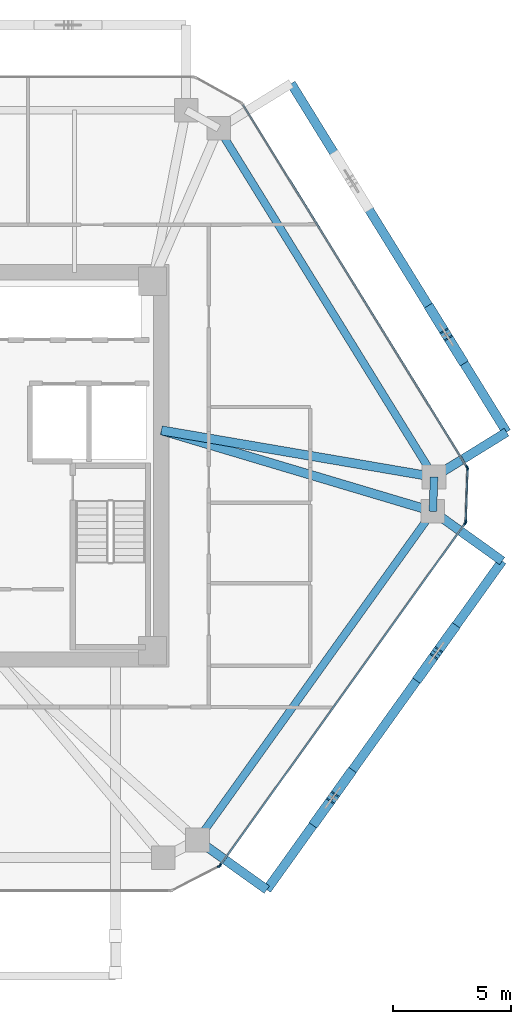
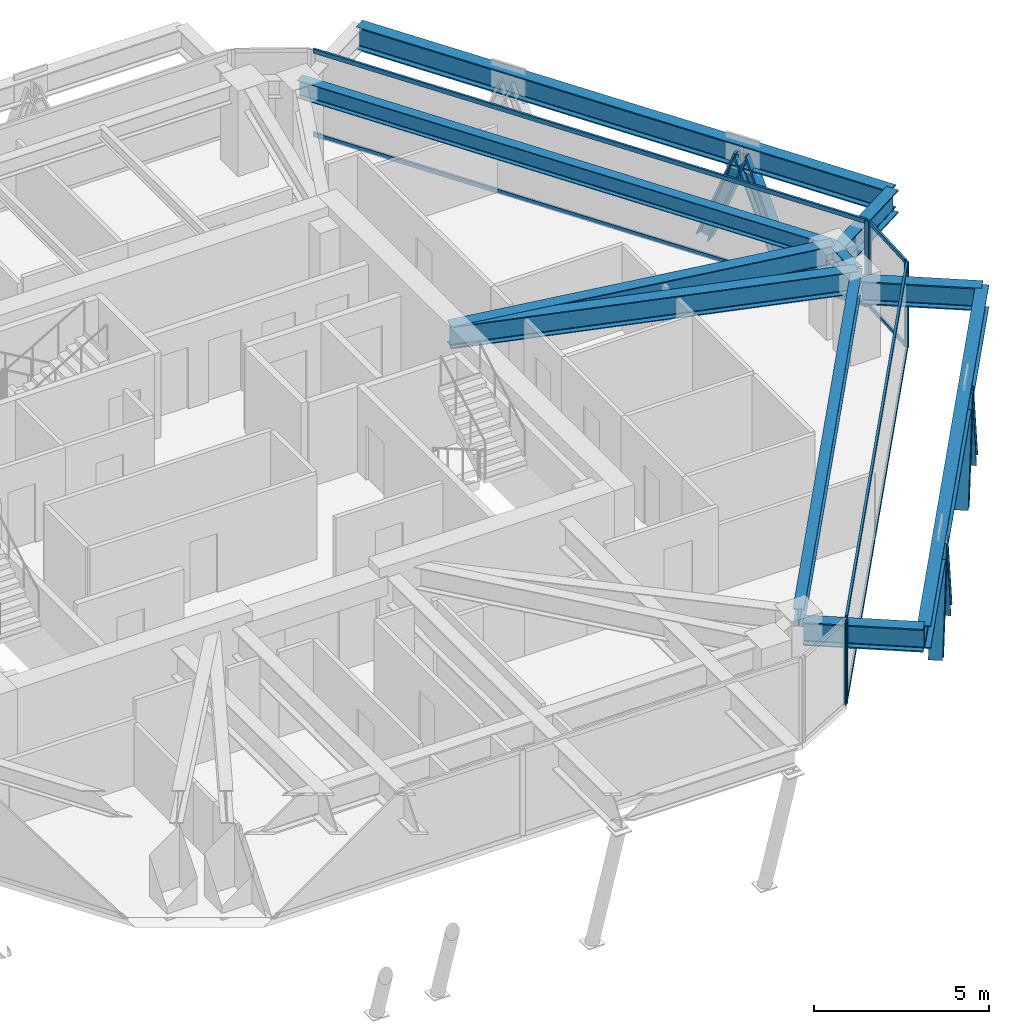
# One storey, part 5 of 14: 18 members, 10 beams, 4 elements without a shape of their own.
"""IFC4 building model written with IfcOpenShell, lengths in metres."""

from ifc_helpers import new_model, si_unit, direction, frame, origin, origin_2d, place, context, subcontext, project, spatial, rectangle, i_section, extrude, source, transform, mapped, material, layer, layer_set, material_profile, profile_set, type_object, type_shapes, element, aggregate, save


model = new_model("IFC4")

# Units and contexts
model_context = context("Model", 3, precision=1e-05, world=origin(), true_north=direction((0.0, 1.0)))
body_context = subcontext(model_context, "Body", "Model", "MODEL_VIEW")
ifc_project = project(units=[si_unit("LENGTHUNIT", "METRE"), si_unit("AREAUNIT", "SQUARE_METRE"), si_unit("VOLUMEUNIT", "CUBIC_METRE"), si_unit("PLANEANGLEUNIT", "RADIAN"), si_unit("MASSUNIT", "GRAM", prefix="KILO")], contexts=[model_context])

# Site, building, storey
site_placement = place(None, origin())
site = spatial("IfcSite", under=ifc_project, at=site_placement, CompositionType="ELEMENT")
building_placement = place(site_placement, origin())
building = spatial("IfcBuilding", under=site, at=building_placement, Name="Durnholm Broadcast Tower", CompositionType="ELEMENT")
storey_placement = place(building_placement, frame((0.0, 0.0, 159.300048828125)))
storey = spatial("IfcBuildingStorey", under=building, at=storey_placement, Name="L43", CompositionType="ELEMENT", Elevation=159.300048828125)

# Beams
ifc_material_1 = material(Name="Steel ASTM A992 Grade 50", Category="steel")
ifc_material_profile_1 = material_profile(ifc_material_1, i_section(OverallWidth=0.385009765625, OverallDepth=0.802978515625, WebThickness=0.023681640625, FlangeThickness=0.0419921875, FilletRadius=0.032958984375, at=origin_2d()), Name="W30X261")
ifc_profile_set_1 = profile_set([ifc_material_profile_1], Name="Steel ASTM A992 Grade 50")
beam_type_1 = type_object("IfcBeamType", Name="BM-EXO-TIE", PredefinedType="USERDEFINED", material=ifc_profile_set_1)
shared_shape_1 = source(origin(), body_context, "Body", "SweptSolid", [
    extrude(i_section(OverallWidth=0.385009765625, OverallDepth=0.802978515625, WebThickness=0.023681640625, FlangeThickness=0.0419921875, FilletRadius=0.032958984375, at=origin_2d()), origin(), (0.0, 0.0, 1.0), 3.4560546875),
])
for number, where, z_axis, x_axis, name in (
    (1, (11.81689453125, -15.884033203125, 2.228515625), (0.813079048773, -0.582153296346, 0.0), (0.582153296346, 0.813079048773, 0.0), "L43 exoskeleton stand-off tie bracket F2.1"),
    (2, (21.7548828125, -2.00341796875, 2.228515625), (0.813079048773, -0.582153296346, 0.0), (0.582153296346, 0.813079048773, 0.0), "L43 exoskeleton stand-off tie bracket F2.2"),
    (3, (21.8095703125, -0.3916015625, 2.228515625), (0.850662348375, 0.525712439512, 0.0), (-0.525712439512, 0.850662348375, 0.0), "L43 exoskeleton stand-off tie bracket F3.1"),
):
    element("IfcBeam", number, at=place(storey_placement, frame(where, z_axis=z_axis, x_axis=x_axis)), inside=storey, type_object=beam_type_1, Name=name, ObjectType="GIRDER", PredefinedType="USERDEFINED", context=body_context, shape_type="MappedRepresentation", body=[
        mapped(shared_shape_1, transform((0.0, 0.0, 0.0), x_axis=(1.0, 0.0, 0.0), y_axis=(0.0, 1.0, 0.0), z_axis=(0.0, 0.0, 1.0), scale=1.0)),
    ])
ifc_material_profile_2 = material_profile(ifc_material_1, i_section(OverallWidth=0.3251953125, OverallDepth=0.6162109375, WebThickness=0.013916015625, FlangeThickness=0.021484375, FilletRadius=0.02783203125, at=origin_2d()), Name="W24X117")
ifc_profile_set_2 = profile_set([ifc_material_profile_2], Name="Steel ASTM A992 Grade 50")
beam_type_2 = type_object("IfcBeamType", Name="STL-SP-W24X117", PredefinedType="SPANDREL", material=ifc_profile_set_2)
shared_shape_2 = source(origin(), body_context, "Body", "SweptSolid", [
    extrude(i_section(OverallWidth=0.3251953125, OverallDepth=0.6162109375, WebThickness=0.013916015625, FlangeThickness=0.021484375, FilletRadius=0.02783203125, at=origin_2d()), origin(), (0.0, 0.0, 1.0), 17.30322265625),
])
beam_1_placement = place(storey_placement, frame((12.5908203125, 14.252197265625, 2.65673828125), z_axis=(0.525691424148, -0.850675335588, 0.0), x_axis=(0.850675335588, 0.525691424148, 0.0)))
element("IfcBeam", 4, at=beam_1_placement, inside=storey, type_object=beam_type_2, Name="L43 perimeter spandrel girder 07", PredefinedType="SPANDREL", context=body_context, shape_type="MappedRepresentation", body=[
    mapped(shared_shape_2, transform((0.0, 0.0, 0.0), x_axis=(1.0, 0.0, 0.0), y_axis=(0.0, 1.0, 0.0), z_axis=(0.0, 0.0, 1.0), scale=1.0)),
])
shared_shape_3 = source(origin(), body_context, "Body", "SweptSolid", [
    extrude(i_section(OverallWidth=0.3251953125, OverallDepth=0.6162109375, WebThickness=0.013916015625, FlangeThickness=0.021484375, FilletRadius=0.02783203125, at=origin_2d()), origin(), (0.0, 0.0, 1.0), 1.453125),
])
beam_2_placement = place(storey_placement, frame((21.68701171875, -0.46728515625, 2.65673828125), z_axis=(-0.033767922326, -0.99942970109, 0.0), x_axis=(0.99942970109, -0.033767922326, 0.0)))
element("IfcBeam", 5, at=beam_2_placement, inside=storey, type_object=beam_type_2, Name="L43 perimeter spandrel girder 08", PredefinedType="SPANDREL", context=body_context, shape_type="MappedRepresentation", body=[
    mapped(shared_shape_3, transform((0.0, 0.0, 0.0), x_axis=(1.0, 0.0, 0.0), y_axis=(0.0, 1.0, 0.0), z_axis=(0.0, 0.0, 1.0), scale=1.0)),
])
shared_shape_4 = source(origin(), body_context, "Body", "SweptSolid", [
    extrude(i_section(OverallWidth=0.3251953125, OverallDepth=0.6162109375, WebThickness=0.013916015625, FlangeThickness=0.021484375, FilletRadius=0.02783203125, at=origin_2d()), origin(), (0.0, 0.0, 1.0), 17.071533203125),
])
type_shapes(beam_type_2, [shared_shape_2, shared_shape_3, shared_shape_4])
beam_3_placement = place(storey_placement, frame((21.637939453125, -1.919677734375, 2.65673828125), z_axis=(-0.582149612352, -0.813081686449, 0.0), x_axis=(0.813081686449, -0.582149612352, 0.0)))
element("IfcBeam", 6, at=beam_3_placement, inside=storey, type_object=beam_type_2, Name="L43 perimeter spandrel girder 09", PredefinedType="SPANDREL", context=body_context, shape_type="MappedRepresentation", body=[
    mapped(shared_shape_4, transform((0.0, 0.0, 0.0), x_axis=(1.0, 0.0, 0.0), y_axis=(0.0, 1.0, 0.0), z_axis=(0.0, 0.0, 1.0), scale=1.0)),
])
shared_shape_5 = source(origin(), body_context, "Body", "SweptSolid", [
    extrude(i_section(OverallWidth=0.385009765625, OverallDepth=0.802978515625, WebThickness=0.023681640625, FlangeThickness=0.0419921875, FilletRadius=0.032958984375, at=origin_2d()), origin(), (0.0, 0.0, 1.0), 17.071533203125),
])
beam_4_placement = place(storey_placement, frame((14.626953125, -17.89599609375, 2.228515625), z_axis=(0.582140157836, 0.813088455603, 0.0), x_axis=(-0.813088455603, 0.582140157836, 0.0)))
element("IfcBeam", 7, at=beam_4_placement, inside=storey, type_object=beam_type_1, Name="L43 exoskeleton collector spandrel F2", PredefinedType="SPANDREL", context=body_context, shape_type="MappedRepresentation", body=[
    mapped(shared_shape_5, transform((0.0, 0.0, 0.0), x_axis=(1.0, 0.0, 0.0), y_axis=(0.0, 1.0, 0.0), z_axis=(0.0, 0.0, 1.0), scale=1.0)),
])
shared_shape_6 = source(origin(), body_context, "Body", "SweptSolid", [
    extrude(i_section(OverallWidth=0.385009765625, OverallDepth=0.802978515625, WebThickness=0.023681640625, FlangeThickness=0.0419921875, FilletRadius=0.032958984375, at=origin_2d()), origin(), (0.0, 0.0, 1.0), 17.303466796875),
])
type_shapes(beam_type_1, [shared_shape_1, shared_shape_5, shared_shape_6])
beam_5_placement = place(storey_placement, frame((24.74951171875, 1.42529296875, 2.228515625), z_axis=(-0.525701634347, 0.850669025911, 0.0), x_axis=(-0.850669025911, -0.525701634347, 0.0)))
element("IfcBeam", 8, at=beam_5_placement, inside=storey, type_object=beam_type_1, Name="L43 exoskeleton collector spandrel F3", PredefinedType="SPANDREL", context=body_context, shape_type="MappedRepresentation", body=[
    mapped(shared_shape_6, transform((0.0, 0.0, 0.0), x_axis=(1.0, 0.0, 0.0), y_axis=(0.0, 1.0, 0.0), z_axis=(0.0, 0.0, 1.0), scale=1.0)),
])
ifc_material_profile_3 = material_profile(ifc_material_1, i_section(OverallWidth=0.380615234375, OverallDepth=0.773193359375, WebThickness=0.0166015625, FlangeThickness=0.027099609375, FilletRadius=0.032958984375, at=origin_2d()), Name="W30X173")
ifc_profile_set_3 = profile_set([ifc_material_profile_3], Name="Steel ASTM A992 Grade 50")
beam_type_3 = type_object("IfcBeamType", Name="STL-GR-W30X173", PredefinedType="USERDEFINED", material=ifc_profile_set_3)
shared_shape_7 = source(origin(), body_context, "Body", "SweptSolid", [
    extrude(i_section(OverallWidth=0.380615234375, OverallDepth=0.773193359375, WebThickness=0.0166015625, FlangeThickness=0.027099609375, FilletRadius=0.032958984375, at=origin_2d()), origin(), (0.0, 0.0, 1.0), 11.678955078125),
])
beam_6_placement = place(storey_placement, frame((10.175048828125, 1.5, 2.578369140625), z_axis=(0.985710446264, -0.168448556317, 0.0), x_axis=(0.168448556317, 0.985710446264, 0.0)))
element("IfcBeam", 9, at=beam_6_placement, inside=storey, type_object=beam_type_3, Name="L43 radial primary floor girder 08", ObjectType="GIRDER", PredefinedType="USERDEFINED", context=body_context, shape_type="MappedRepresentation", body=[
    mapped(shared_shape_7, transform((0.0, 0.0, 0.0), x_axis=(1.0, 0.0, 0.0), y_axis=(0.0, 1.0, 0.0), z_axis=(0.0, 0.0, 1.0), scale=1.0)),
])
shared_shape_8 = source(origin(), body_context, "Body", "SweptSolid", [
    extrude(i_section(OverallWidth=0.380615234375, OverallDepth=0.773193359375, WebThickness=0.0166015625, FlangeThickness=0.027099609375, FilletRadius=0.032958984375, at=origin_2d()), origin(), (0.0, 0.0, 1.0), 11.962158203125),
])
type_shapes(beam_type_3, [shared_shape_7, shared_shape_8])
beam_7_placement = place(storey_placement, frame((10.175048828125, 1.5, 2.578369140625), z_axis=(0.958266673737, -0.285875815706, 0.0), x_axis=(0.285875815706, 0.958266673737, 0.0)))
element("IfcBeam", 10, at=beam_7_placement, inside=storey, type_object=beam_type_3, Name="L43 radial primary floor girder 09", ObjectType="GIRDER", PredefinedType="USERDEFINED", context=body_context, shape_type="MappedRepresentation", body=[
    mapped(shared_shape_8, transform((0.0, 0.0, 0.0), x_axis=(1.0, 0.0, 0.0), y_axis=(0.0, 1.0, 0.0), z_axis=(0.0, 0.0, 1.0), scale=1.0)),
])

# Members
ifc_material_2 = material(Name="Steel ASTM A913 Grade 65", Category="steel")
ifc_material_profile_4 = material_profile(ifc_material_2, i_section(OverallWidth=0.412109375, OverallDepth=0.434814453125, WebThickness=0.035888671875, FlangeThickness=0.057373046875, FilletRadius=0.030517578125, at=origin_2d()), Name="W14X311")
ifc_profile_set_4 = profile_set([ifc_material_profile_4], Name="Steel ASTM A913 Grade 65")
member_type_1 = type_object("IfcMemberType", Name="STL-DG-W14X311", PredefinedType="BRACE", material=ifc_profile_set_4)
shared_shape_9 = source(origin(), body_context, "Body", "SweptSolid", [
    extrude(i_section(OverallWidth=0.412109375, OverallDepth=0.434814453125, WebThickness=0.035888671875, FlangeThickness=0.057373046875, FilletRadius=0.030517578125, at=origin_2d()), origin(), (0.0, 0.0, 1.0), 3.4482421875),
])
type_shapes(member_type_1, [shared_shape_9])
for number, where, z_axis, x_axis, name in (
    (11, (16.69140625, -15.0126953125, -0.991455078125), (0.20829710249, 0.290922091819, 0.933796901679), (-0.813077820009, 0.582155012526, 0.0), "L43 stand-off diagrid brace F2.D1.1"),
    (12, (18.1279296875, -13.00634765625, -0.991455078125), (-0.20829710249, -0.290922091819, 0.933796901679), (0.813077820009, -0.582155012526, 0.0), "L43 stand-off diagrid brace F2.D1.2"),
    (13, (21.064208984375, -8.905029296875, -0.991455078125), (0.20829710249, 0.290922091819, 0.933796901679), (-0.813077820009, 0.582155012526, 0.0), "L43 stand-off diagrid brace F2.D2.1"),
    (14, (22.50048828125, -6.898681640625, -0.991455078125), (-0.208229371701, -0.290926381611, 0.933810670984), (0.813171482985, -0.58202417412, 0.0), "L43 stand-off diagrid brace F2.D2.2"),
    (15, (22.85107421875, 4.497314453125, -0.991455078125), (-0.188117912139, 0.304372941018, 0.933792677155), (-0.850644447398, -0.525741404219, 0.0), "L43 stand-off diagrid brace F3.D1.1"),
    (16, (21.553955078125, 6.59619140625, -0.991455078125), (0.188053667643, -0.304312749822, 0.933825234389), (0.85067825406, 0.525686701439, 0.0), "L43 stand-off diagrid brace F3.D1.2"),
):
    element("IfcMember", number, at=place(storey_placement, frame(where, z_axis=z_axis, x_axis=x_axis)), inside=storey, type_object=member_type_1, Name=name, PredefinedType="BRACE", context=body_context, shape_type="MappedRepresentation", body=[
        mapped(shared_shape_9, transform((0.0, 0.0, 0.0), x_axis=(1.0, 0.0, 0.0), y_axis=(0.0, 1.0, 0.0), z_axis=(0.0, 0.0, 1.0), scale=1.0)),
    ])

# Curtain wall, members
ifc_material_3 = material(Name="Aluminium and Solar Control IGU", Category="aluminium")
ifc_layer_1 = layer(ifc_material_3, 0.1650390625)
ifc_layer_set_1 = layer_set([ifc_layer_1], Name="Aluminium and Solar Control IGU")
curtain_wall_type_1 = type_object("IfcCurtainWallType", Name="CW-SYS-5", PredefinedType="NOTDEFINED", material=ifc_layer_set_1)
curtain_wall_1_placement = place(storey_placement, origin())
curtain_wall_1 = element("IfcCurtainWall", 17, at=curtain_wall_1_placement, inside=storey, type_object=curtain_wall_type_1, Name="L43 curtain wall CW-CORNER CW-L43-CRN-07", PredefinedType="NOTDEFINED")
ifc_material_4 = material(Name="Aluminium 6063-T6", Category="aluminium")
ifc_material_profile_5 = material_profile(ifc_material_4, rectangle(XDim=0.06494140625, YDim=0.1298828125, at=origin_2d()), Name="CWT65X130")
ifc_profile_set_5 = profile_set([ifc_material_profile_5], Name="Aluminium 6063-T6")
member_type_2 = type_object("IfcMemberType", Name="CW-SYS-5-TRN", PredefinedType="USERDEFINED", material=ifc_profile_set_5)
shared_shape_10 = source(origin(), body_context, "Body", "SweptSolid", [
    extrude(rectangle(XDim=0.06494140625, YDim=0.1298828125, at=origin_2d()), origin(), (0.0, 0.0, 1.0), 2.170166015625),
])
type_shapes(member_type_2, [shared_shape_10])
member_1_placement = place(storey_placement, frame((23.098388671875, -0.156494140625, 0.032470703125), z_axis=(-0.033861704743, -0.999426528041, 0.0), x_axis=(0.999426528041, -0.033861704743, 0.0)))
member_1 = element("IfcMember", 18, at=member_1_placement, type_object=member_type_2, Name="CW-CORNER transom 1.1", ObjectType="TRANSOM", PredefinedType="USERDEFINED", context=body_context, shape_type="MappedRepresentation", body=[
    mapped(shared_shape_10, transform((0.0, 0.0, 0.0), x_axis=(1.0, 0.0, 0.0), y_axis=(0.0, 1.0, 0.0), z_axis=(0.0, 0.0, 1.0), scale=1.0)),
])
member_2_placement = place(storey_placement, frame((23.098388671875, -0.156494140625, 2.947509765625), z_axis=(-0.033861704743, -0.999426528041, 0.0), x_axis=(0.999426528041, -0.033861704743, 0.0)))
member_2 = element("IfcMember", 19, at=member_2_placement, type_object=member_type_2, Name="CW-CORNER transom 1.2", ObjectType="TRANSOM", PredefinedType="USERDEFINED", context=body_context, shape_type="MappedRepresentation", body=[
    mapped(shared_shape_10, transform((0.0, 0.0, 0.0), x_axis=(1.0, 0.0, 0.0), y_axis=(0.0, 1.0, 0.0), z_axis=(0.0, 0.0, 1.0), scale=1.0)),
])
ifc_material_profile_6 = material_profile(ifc_material_4, rectangle(XDim=0.06494140625, YDim=0.1650390625, at=origin_2d()), Name="CWM65X165")
ifc_profile_set_6 = profile_set([ifc_material_profile_6], Name="Aluminium 6063-T6")
member_type_3 = type_object("IfcMemberType", Name="CW-SYS-5-MUL", PredefinedType="MULLION", material=ifc_profile_set_6)
shared_shape_11 = source(origin(), body_context, "Body", "SweptSolid", [
    extrude(rectangle(XDim=0.06494140625, YDim=0.1650390625, at=origin_2d()), origin(), (0.0, 0.0, 1.0), 2.97998046875),
])
type_shapes(member_type_3, [shared_shape_11])
member_3_placement = place(storey_placement, frame((23.099609375, -0.1240234375, 0.0), z_axis=(0.0, 0.0, 1.0), x_axis=(0.999424798802, -0.033912704699, 0.0)))
member_3 = element("IfcMember", 20, at=member_3_placement, type_object=member_type_3, Name="CW-CORNER mullion 1", PredefinedType="MULLION", context=body_context, shape_type="MappedRepresentation", body=[
    mapped(shared_shape_11, transform((0.0, 0.0, 0.0), x_axis=(1.0, 0.0, 0.0), y_axis=(0.0, 1.0, 0.0), z_axis=(0.0, 0.0, 1.0), scale=1.0)),
])
member_4_placement = place(storey_placement, frame((23.023681640625, -2.35791015625, 0.0), z_axis=(0.0, 0.0, 1.0), x_axis=(0.999424798802, -0.033912704699, 0.0)))
member_4 = element("IfcMember", 21, at=member_4_placement, type_object=member_type_3, Name="CW-CORNER mullion 2", PredefinedType="MULLION", context=body_context, shape_type="MappedRepresentation", body=[
    mapped(shared_shape_11, transform((0.0, 0.0, 0.0), x_axis=(1.0, 0.0, 0.0), y_axis=(0.0, 1.0, 0.0), z_axis=(0.0, 0.0, 1.0), scale=1.0)),
])
aggregate(curtain_wall_1, [member_3, member_4, member_1, member_2])

# Curtain wall, member
curtain_wall_2_placement = place(storey_placement, origin())
curtain_wall_2 = element("IfcCurtainWall", 22, at=curtain_wall_2_placement, inside=storey, type_object=curtain_wall_type_1, Name="L43 curtain wall CW-CORNER CW-L43-CRN-09", PredefinedType="NOTDEFINED")
member_5_placement = place(storey_placement, frame((12.612060546875, -16.905517578125, 0.0), z_axis=(0.0, 0.0, 1.0), x_axis=(0.457081764476, -0.889424679545, 0.0)))
member_5 = element("IfcMember", 23, at=member_5_placement, type_object=member_type_3, Name="CW-CORNER mullion 1", PredefinedType="MULLION", context=body_context, shape_type="MappedRepresentation", body=[
    mapped(shared_shape_11, transform((0.0, 0.0, 0.0), x_axis=(1.0, 0.0, 0.0), y_axis=(0.0, 1.0, 0.0), z_axis=(0.0, 0.0, 1.0), scale=1.0)),
])
aggregate(curtain_wall_2, [member_5])

ifc_layer_2 = layer(ifc_material_3, 0.18994140625)
ifc_layer_set_2 = layer_set([ifc_layer_2], Name="Aluminium and Solar Control IGU")
curtain_wall_type_2 = type_object("IfcCurtainWallType", Name="CW-SYS-4", PredefinedType="NOTDEFINED", material=ifc_layer_set_2)
curtain_wall_3_placement = place(storey_placement, origin())
curtain_wall_3 = element("IfcCurtainWall", 24, at=curtain_wall_3_placement, inside=storey, type_object=curtain_wall_type_2, Name="L43 curtain wall CW-Z34-VIS CW-L43-F06", PredefinedType="NOTDEFINED")
ifc_material_profile_7 = material_profile(ifc_material_4, rectangle(XDim=0.070068359375, YDim=0.18994140625, at=origin_2d()), Name="CWM70X190")
ifc_profile_set_7 = profile_set([ifc_material_profile_7], Name="Aluminium 6063-T6")
member_type_4 = type_object("IfcMemberType", Name="CW-SYS-4-MUL", PredefinedType="MULLION", material=ifc_profile_set_7)
shared_shape_12 = source(origin(), body_context, "Body", "SweptSolid", [
    extrude(rectangle(XDim=0.070068359375, YDim=0.18994140625, at=origin_2d()), origin(), (0.0, 0.0, 1.0), 2.97998046875),
])
type_shapes(member_type_4, [shared_shape_12])
member_6_placement = place(storey_placement, frame((23.082275390625, -0.061767578125, 0.0), z_axis=(0.0, 0.0, 1.0), x_axis=(0.850671426092, 0.525697750452, 0.0)))
member_6 = element("IfcMember", 25, at=member_6_placement, type_object=member_type_4, Name="CW-Z34-VIS mullion 2", PredefinedType="MULLION", context=body_context, shape_type="MappedRepresentation", body=[
    mapped(shared_shape_12, transform((0.0, 0.0, 0.0), x_axis=(1.0, 0.0, 0.0), y_axis=(0.0, 1.0, 0.0), z_axis=(0.0, 0.0, 1.0), scale=1.0)),
])

# Curtain wall, members
curtain_wall_4_placement = place(storey_placement, origin())
curtain_wall_4 = element("IfcCurtainWall", 26, at=curtain_wall_4_placement, inside=storey, type_object=curtain_wall_type_2, Name="L43 curtain wall CW-Z34-VIS CW-L43-F08", PredefinedType="NOTDEFINED")
member_7_placement = place(storey_placement, frame((23.00244140625, -2.418701171875, 0.0), z_axis=(0.0, 0.0, 1.0), x_axis=(0.813089262696, -0.582139030549, 0.0)))
member_7 = element("IfcMember", 27, at=member_7_placement, type_object=member_type_4, Name="CW-Z34-VIS mullion 1", PredefinedType="MULLION", context=body_context, shape_type="MappedRepresentation", body=[
    mapped(shared_shape_12, transform((0.0, 0.0, 0.0), x_axis=(1.0, 0.0, 0.0), y_axis=(0.0, 1.0, 0.0), z_axis=(0.0, 0.0, 1.0), scale=1.0)),
])
member_8_placement = place(storey_placement, frame((12.661376953125, -16.8623046875, 0.0), z_axis=(0.0, 0.0, 1.0), x_axis=(0.813089262696, -0.582139030549, 0.0)))
member_8 = element("IfcMember", 28, at=member_8_placement, type_object=member_type_4, Name="CW-Z34-VIS mullion 2", PredefinedType="MULLION", context=body_context, shape_type="MappedRepresentation", body=[
    mapped(shared_shape_12, transform((0.0, 0.0, 0.0), x_axis=(1.0, 0.0, 0.0), y_axis=(0.0, 1.0, 0.0), z_axis=(0.0, 0.0, 1.0), scale=1.0)),
])

# Member
ifc_material_profile_8 = material_profile(ifc_material_4, rectangle(XDim=0.070068359375, YDim=0.14990234375, at=origin_2d()), Name="CWT70X150")
ifc_profile_set_8 = profile_set([ifc_material_profile_8], Name="Aluminium 6063-T6")
member_type_5 = type_object("IfcMemberType", Name="CW-SYS-4-TRN", PredefinedType="USERDEFINED", material=ifc_profile_set_8)
shared_shape_13 = source(origin(), body_context, "Body", "SweptSolid", [
    extrude(rectangle(XDim=0.070068359375, YDim=0.14990234375, at=origin_2d()), origin(), (0.0, 0.0, 1.0), 17.950927734375),
])
member_9_placement = place(storey_placement, frame((13.627197265625, 15.23828125, 0.034912109375), z_axis=(0.525699895853, -0.850670100274, 0.0), x_axis=(0.850670100274, 0.525699895853, 0.0)))
member_9 = element("IfcMember", 29, at=member_9_placement, type_object=member_type_5, Name="CW-Z34-VIS transom 1.1", ObjectType="TRANSOM", PredefinedType="USERDEFINED", context=body_context, shape_type="MappedRepresentation", body=[
    mapped(shared_shape_13, transform((0.0, 0.0, 0.0), x_axis=(1.0, 0.0, 0.0), y_axis=(0.0, 1.0, 0.0), z_axis=(0.0, 0.0, 1.0), scale=1.0)),
])

member_10_placement = place(storey_placement, frame((13.627197265625, 15.23828125, 2.945068359375), z_axis=(0.525699895853, -0.850670100274, 0.0), x_axis=(0.850670100274, 0.525699895853, 0.0)))
member_10 = element("IfcMember", 30, at=member_10_placement, type_object=member_type_5, Name="CW-Z34-VIS transom 1.2", ObjectType="TRANSOM", PredefinedType="USERDEFINED", context=body_context, shape_type="MappedRepresentation", body=[
    mapped(shared_shape_13, transform((0.0, 0.0, 0.0), x_axis=(1.0, 0.0, 0.0), y_axis=(0.0, 1.0, 0.0), z_axis=(0.0, 0.0, 1.0), scale=1.0)),
])

aggregate(curtain_wall_3, [member_6, member_9, member_10])

shared_shape_14 = source(origin(), body_context, "Body", "SweptSolid", [
    extrude(rectangle(XDim=0.070068359375, YDim=0.14990234375, at=origin_2d()), origin(), (0.0, 0.0, 1.0), 17.693603515625),
])
type_shapes(member_type_5, [shared_shape_13, shared_shape_14])
member_11_placement = place(storey_placement, frame((22.98193359375, -2.447265625, 0.034912109375), z_axis=(-0.582144969277, -0.813085010774, 0.0), x_axis=(0.813085010774, -0.582144969277, 0.0)))
member_11 = element("IfcMember", 31, at=member_11_placement, type_object=member_type_5, Name="CW-Z34-VIS transom 1.1", ObjectType="TRANSOM", PredefinedType="USERDEFINED", context=body_context, shape_type="MappedRepresentation", body=[
    mapped(shared_shape_14, transform((0.0, 0.0, 0.0), x_axis=(1.0, 0.0, 0.0), y_axis=(0.0, 1.0, 0.0), z_axis=(0.0, 0.0, 1.0), scale=1.0)),
])

member_12_placement = place(storey_placement, frame((22.98193359375, -2.447265625, 2.945068359375), z_axis=(-0.582144969277, -0.813085010774, 0.0), x_axis=(0.813085010774, -0.582144969277, 0.0)))
member_12 = element("IfcMember", 32, at=member_12_placement, type_object=member_type_5, Name="CW-Z34-VIS transom 1.2", ObjectType="TRANSOM", PredefinedType="USERDEFINED", context=body_context, shape_type="MappedRepresentation", body=[
    mapped(shared_shape_14, transform((0.0, 0.0, 0.0), x_axis=(1.0, 0.0, 0.0), y_axis=(0.0, 1.0, 0.0), z_axis=(0.0, 0.0, 1.0), scale=1.0)),
])

aggregate(curtain_wall_4, [member_7, member_8, member_11, member_12])

save(model, "model.ifc")
